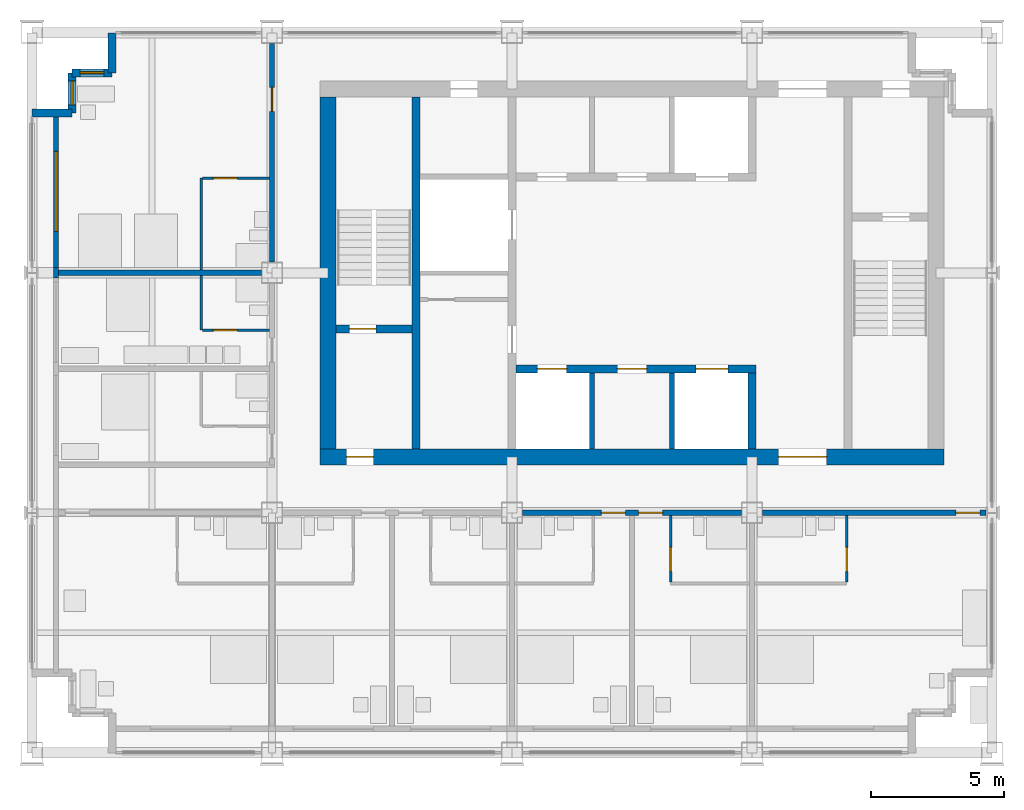
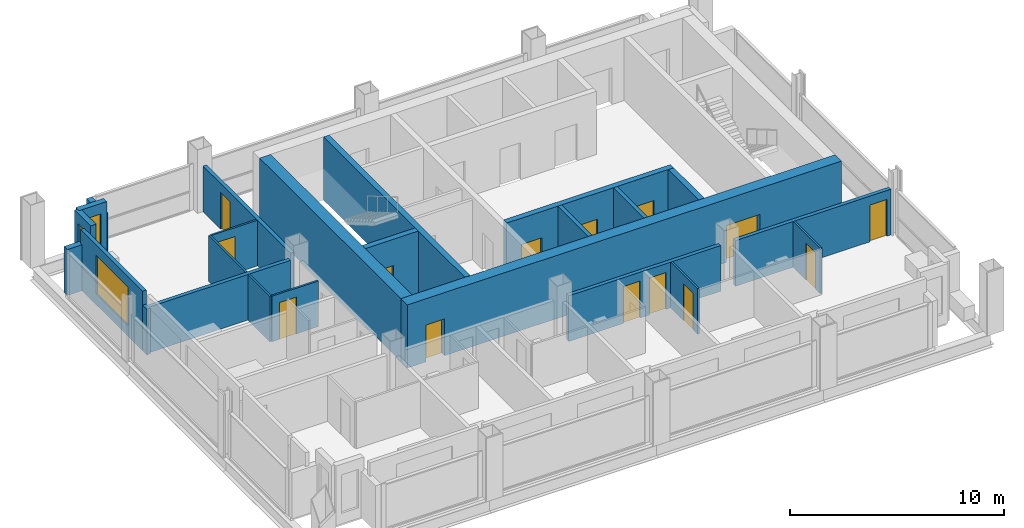
# One storey, part 7 of 12: 24 walls, 14 doors, 3 windows, 17 openings.
"""IFC4 building model written with IfcOpenShell, lengths in metres."""

from ifc_helpers import new_model, si_unit, direction, frame, frame_2d, origin, place, context, subcontext, project, spatial, rectangle, extrude, material, layer, layer_set, type_object, element, fill, save


model = new_model("IFC4")

# Units and contexts
model_context = context("Model", 3, precision=1e-05, world=origin(), true_north=direction((0.0, 1.0)))
body_context = subcontext(model_context, "Body", "Model", "MODEL_VIEW")
ifc_project = project(units=[si_unit("LENGTHUNIT", "METRE"), si_unit("AREAUNIT", "SQUARE_METRE"), si_unit("VOLUMEUNIT", "CUBIC_METRE"), si_unit("PLANEANGLEUNIT", "RADIAN"), si_unit("MASSUNIT", "GRAM", prefix="KILO")], contexts=[model_context])

# Site, building, storey
site_placement = place(None, origin())
site = spatial("IfcSite", under=ifc_project, at=site_placement, CompositionType="ELEMENT")
building_placement = place(site_placement, origin())
building = spatial("IfcBuilding", under=site, at=building_placement, Name="Loomwork Tower", CompositionType="ELEMENT")
storey_placement = place(building_placement, frame((0.0, 0.0, 259.0)))
storey = spatial("IfcBuildingStorey", under=building, at=storey_placement, Name="L71", CompositionType="ELEMENT", Elevation=259.0)

# Wall
ifc_material_1 = material(Name="Concrete 14000 psi (97 MPa)", Category="concrete")
ifc_layer_1 = layer(ifc_material_1, 0.300048828125)
ifc_layer_set_1 = layer_set([ifc_layer_1], Name="Core shear wall 300")
wall_type_1 = type_object("IfcWallType", Name="Core shear wall 300", PredefinedType="SHEAR", material=ifc_layer_set_1)
wall_1_placement = place(storey_placement, frame((14.39990234375, 11.39990234375, 0.0), z_axis=(0.0, 0.0, 1.0), x_axis=(0.0, 1.0, 0.0)))
element("IfcWall", 1, at=wall_1_placement, inside=storey, type_object=wall_type_1, Name="Stair A east wall L71", PredefinedType="SHEAR", context=body_context, shape_type="SweptSolid", body=[
    extrude(rectangle(XDim=13.2001953125, YDim=0.300048828125, at=frame_2d((6.60009765625, 0.0))), origin(), (0.0, 0.0, 1.0), 3.60009765625),
])

# Wall, opening, door
wall_2_placement = place(storey_placement, frame((11.39990234375, 15.89990234375, 0.0), z_axis=(0.0, 0.0, 1.0), x_axis=(1.0, 0.0, 0.0)))
wall_2 = element("IfcWall", 2, at=wall_2_placement, inside=storey, type_object=wall_type_1, Name="Stair A south wall L71", PredefinedType="SHEAR", context=body_context, shape_type="SweptSolid", body=[
    extrude(rectangle(XDim=2.85009765625, YDim=0.300048828125, at=frame_2d((1.425048828125, 0.0))), origin(), (0.0, 0.0, 1.0), 3.60009765625),
])
opening_1_placement = place(wall_2_placement, frame((0.5, 0.0, 0.0)))
opening_1 = element("IfcOpeningElement", 3, at=opening_1_placement, cuts=wall_2, Name="Opening D4", PredefinedType="OPENING", context=body_context, shape_type="SweptSolid", body=[
    extrude(rectangle(XDim=1.0, YDim=2.10009765625, at=frame_2d((0.5, 1.050048828125))), frame((0.0, 0.159912109375, 0.0), z_axis=(0.0, -1.0, 0.0), x_axis=(1.0, 0.0, 0.0)), (0.0, 0.0, 1.0), 0.320068359375),
])
ifc_material_2 = material(Name="Hollow metal door and frame")
door_type_1 = type_object("IfcDoorType", Name="Stair door 1000", OperationType="SINGLE_SWING_RIGHT", PredefinedType="DOOR", material=ifc_material_2)
door_1_placement = place(opening_1_placement, origin())
door_1 = element("IfcDoor", 4, at=door_1_placement, inside=storey, type_object=door_type_1, Name="Stair A door", OperationType="SINGLE_SWING_LEFT", OverallHeight=2.10009765625, OverallWidth=1.0, PredefinedType="DOOR", context=body_context, shape_type="SweptSolid", body=[
    extrude(rectangle(XDim=1.0, YDim=2.10009765625, at=frame_2d((0.5, 1.050048828125))), frame((0.0, 0.02490234375, 0.0), z_axis=(0.0, -1.0, 0.0), x_axis=(1.0, 0.0, 0.0)), (0.0, 0.0, 1.0), 0.050048828125),
])
fill(opening_1, door_1)

# Wall, openings, doors
wall_3_placement = place(storey_placement, frame((18.14990234375, 14.39990234375, 0.0), z_axis=(0.0, 0.0, 1.0), x_axis=(1.0, 0.0, 0.0)))
wall_3 = element("IfcWall", 5, at=wall_3_placement, inside=storey, type_object=wall_type_1, Name="Lift front wall south L71", PredefinedType="SHEAR", context=body_context, shape_type="SweptSolid", body=[
    extrude(rectangle(XDim=9.0, YDim=0.300048828125, at=frame_2d((4.5, 0.0))), origin(), (0.0, 0.0, 1.0), 3.60009765625),
])
opening_2_placement = place(wall_3_placement, frame((0.800048828125, 0.0, 0.0)))
opening_2 = element("IfcOpeningElement", 6, at=opening_2_placement, cuts=wall_3, Name="Opening LD1", PredefinedType="OPENING", context=body_context, shape_type="SweptSolid", body=[
    extrude(rectangle(XDim=1.10009765625, YDim=2.10009765625, at=frame_2d((0.550048828125, 1.050048828125))), frame((0.0, 0.159912109375, 0.0), z_axis=(0.0, -1.0, 0.0), x_axis=(1.0, 0.0, 0.0)), (0.0, 0.0, 1.0), 0.320068359375),
])
opening_3_placement = place(wall_3_placement, frame((6.75, 0.0, 0.0)))
opening_3 = element("IfcOpeningElement", 7, at=opening_3_placement, cuts=wall_3, Name="Opening LD2", PredefinedType="OPENING", context=body_context, shape_type="SweptSolid", body=[
    extrude(rectangle(XDim=1.199951171875, YDim=2.10009765625, at=frame_2d((0.60009765625, 1.050048828125))), frame((0.0, 0.159912109375, 0.0), z_axis=(0.0, -1.0, 0.0), x_axis=(1.0, 0.0, 0.0)), (0.0, 0.0, 1.0), 0.320068359375),
])
opening_4_placement = place(wall_3_placement, frame((3.800048828125, 0.0, 0.0)))
opening_4 = element("IfcOpeningElement", 8, at=opening_4_placement, cuts=wall_3, Name="Opening D17", PredefinedType="OPENING", context=body_context, shape_type="SweptSolid", body=[
    extrude(rectangle(XDim=1.10009765625, YDim=2.10009765625, at=frame_2d((0.550048828125, 1.050048828125))), frame((0.0, 0.159912109375, 0.0), z_axis=(0.0, -1.0, 0.0), x_axis=(1.0, 0.0, 0.0)), (0.0, 0.0, 1.0), 0.320068359375),
])
ifc_material_3 = material(Name="Hollow metal door and frame")
door_type_2 = type_object("IfcDoorType", Name="Lift landing door 1100", OperationType="SLIDING_TO_LEFT", PredefinedType="DOOR", material=ifc_material_3)
door_2_placement = place(opening_2_placement, origin())
door_2 = element("IfcDoor", 9, at=door_2_placement, inside=storey, type_object=door_type_2, Name="Lift landing door LC1", OperationType="SLIDING_TO_LEFT", OverallHeight=2.10009765625, OverallWidth=1.10009765625, PredefinedType="DOOR", context=body_context, shape_type="SweptSolid", body=[
    extrude(rectangle(XDim=1.10009765625, YDim=2.10009765625, at=frame_2d((0.550048828125, 1.050048828125))), frame((0.0, 0.02490234375, 0.0), z_axis=(0.0, -1.0, 0.0), x_axis=(1.0, 0.0, 0.0)), (0.0, 0.0, 1.0), 0.050048828125),
])
fill(opening_2, door_2)
ifc_material_4 = material(Name="Hollow metal door and frame")
door_type_3 = type_object("IfcDoorType", Name="Lift landing door 1200", OperationType="SLIDING_TO_LEFT", PredefinedType="DOOR", material=ifc_material_4)
door_3_placement = place(opening_3_placement, origin())
door_3 = element("IfcDoor", 10, at=door_3_placement, inside=storey, type_object=door_type_3, Name="Lift landing door LF1", OperationType="SLIDING_TO_LEFT", OverallHeight=2.10009765625, OverallWidth=1.199951171875, PredefinedType="DOOR", context=body_context, shape_type="SweptSolid", body=[
    extrude(rectangle(XDim=1.199951171875, YDim=2.10009765625, at=frame_2d((0.60009765625, 1.050048828125))), frame((0.0, 0.02490234375, 0.0), z_axis=(0.0, -1.0, 0.0), x_axis=(1.0, 0.0, 0.0)), (0.0, 0.0, 1.0), 0.050048828125),
])
fill(opening_3, door_3)
ifc_material_5 = material(Name="Hollow metal door and frame")
door_type_4 = type_object("IfcDoorType", Name="Service room door 1100", OperationType="SINGLE_SWING_LEFT", PredefinedType="DOOR", material=ifc_material_5)
door_4_placement = place(opening_4_placement, frame((1.10009765625, 0.0, 0.0), z_axis=(0.0, 0.0, 1.0), x_axis=(-1.0, 0.0, 0.0)))
door_4 = element("IfcDoor", 11, at=door_4_placement, inside=storey, type_object=door_type_4, Name="IT and communications room door L71", OperationType="SINGLE_SWING_RIGHT", OverallHeight=2.10009765625, OverallWidth=1.10009765625, PredefinedType="DOOR", context=body_context, shape_type="SweptSolid", body=[
    extrude(rectangle(XDim=1.10009765625, YDim=2.10009765625, at=frame_2d((0.550048828125, 1.050048828125))), frame((0.0, 0.02490234375, 0.0), z_axis=(0.0, -1.0, 0.0), x_axis=(1.0, 0.0, 0.0)), (0.0, 0.0, 1.0), 0.050048828125),
])
fill(opening_4, door_4)

# Wall
wall_4_placement = place(storey_placement, frame((27.0, 11.39990234375, 0.0), z_axis=(0.0, 0.0, 1.0), x_axis=(0.0, 1.0, 0.0)))
element("IfcWall", 12, at=wall_4_placement, inside=storey, type_object=wall_type_1, Name="Lift shaft end wall south L71", PredefinedType="SHEAR", context=body_context, shape_type="SweptSolid", body=[
    extrude(rectangle(XDim=2.85009765625, YDim=0.300048828125, at=frame_2d((1.425048828125, 0.0))), origin(), (0.0, 0.0, 1.0), 3.60009765625),
])

# Wall, openings, doors
ifc_material_6 = material(Name="Concrete 14000 psi (97 MPa)", Category="concrete")
ifc_layer_2 = layer(ifc_material_6, 0.60009765625)
ifc_layer_set_2 = layer_set([ifc_layer_2], Name="Core shear wall 600")
wall_type_2 = type_object("IfcWallType", Name="Core shear wall 600", PredefinedType="SHEAR", material=ifc_layer_set_2)
wall_5_placement = place(storey_placement, frame((10.800048828125, 11.10009765625, 0.0), z_axis=(0.0, 0.0, 1.0), x_axis=(1.0, 0.0, 0.0)))
wall_5 = element("IfcWall", 13, at=wall_5_placement, inside=storey, type_object=wall_type_2, Name="Core wall south L71", PredefinedType="SHEAR", context=body_context, shape_type="SweptSolid", body=[
    extrude(rectangle(XDim=23.39990234375, YDim=0.60009765625, at=frame_2d((11.699951171875, 0.0))), origin(), (0.0, 0.0, 1.0), 3.60009765625),
])
opening_5_placement = place(wall_5_placement, frame((1.0, 0.0, 0.0)))
opening_5 = element("IfcOpeningElement", 14, at=opening_5_placement, cuts=wall_5, Name="Opening D4", PredefinedType="OPENING", context=body_context, shape_type="SweptSolid", body=[
    extrude(rectangle(XDim=1.0, YDim=2.10009765625, at=frame_2d((0.5, 1.050048828125))), frame((0.0, 0.31005859375, 0.0), z_axis=(0.0, -1.0, 0.0), x_axis=(1.0, 0.0, 0.0)), (0.0, 0.0, 1.0), 0.6201171875),
])
opening_6_placement = place(wall_5_placement, frame((17.199951171875, 0.0, 0.0)))
opening_6 = element("IfcOpeningElement", 15, at=opening_6_placement, cuts=wall_5, Name="Opening D6", PredefinedType="OPENING", context=body_context, shape_type="SweptSolid", body=[
    extrude(rectangle(XDim=1.800048828125, YDim=2.10009765625, at=frame_2d((0.89990234375, 1.050048828125))), frame((0.0, 0.31005859375, 0.0), z_axis=(0.0, -1.0, 0.0), x_axis=(1.0, 0.0, 0.0)), (0.0, 0.0, 1.0), 0.6201171875),
])
ifc_material_7 = material(Name="Hollow metal door and frame")
door_type_5 = type_object("IfcDoorType", Name="Lobby passage double door 1800", OperationType="DOUBLE_DOOR_SINGLE_SWING", PredefinedType="DOOR", material=ifc_material_7)
door_5_placement = place(opening_6_placement, origin())
door_5 = element("IfcDoor", 16, at=door_5_placement, inside=storey, type_object=door_type_5, Name="Lobby passage door south", OperationType="DOUBLE_DOOR_SINGLE_SWING", OverallHeight=2.10009765625, OverallWidth=1.800048828125, PredefinedType="DOOR", context=body_context, shape_type="SweptSolid", body=[
    extrude(rectangle(XDim=1.800048828125, YDim=2.10009765625, at=frame_2d((0.89990234375, 1.050048828125))), frame((0.0, 0.02490234375, 0.0), z_axis=(0.0, -1.0, 0.0), x_axis=(1.0, 0.0, 0.0)), (0.0, 0.0, 1.0), 0.050048828125),
])
fill(opening_6, door_5)
door_6_placement = place(opening_5_placement, origin())
door_6 = element("IfcDoor", 17, at=door_6_placement, inside=storey, type_object=door_type_1, Name="Stair A vestibule door", OperationType="SINGLE_SWING_LEFT", OverallHeight=2.10009765625, OverallWidth=1.0, PredefinedType="DOOR", context=body_context, shape_type="SweptSolid", body=[
    extrude(rectangle(XDim=1.0, YDim=2.10009765625, at=frame_2d((0.5, 1.050048828125))), frame((0.0, 0.02490234375, 0.0), z_axis=(0.0, -1.0, 0.0), x_axis=(1.0, 0.0, 0.0)), (0.0, 0.0, 1.0), 0.050048828125),
])
fill(opening_5, door_6)

# Wall
wall_6_placement = place(storey_placement, frame((11.10009765625, 11.39990234375, 0.0), z_axis=(0.0, 0.0, 1.0), x_axis=(0.0, 1.0, 0.0)))
element("IfcWall", 18, at=wall_6_placement, inside=storey, type_object=wall_type_2, Name="Core wall west L71", PredefinedType="SHEAR", context=body_context, shape_type="SweptSolid", body=[
    extrude(rectangle(XDim=13.2001953125, YDim=0.60009765625, at=frame_2d((6.60009765625, 0.0))), origin(), (0.0, 0.0, 1.0), 3.60009765625),
])

# Wall, openings, doors
ifc_material_8 = material(Name="Gypsum board on steel studs, one-hour", Category="steel")
ifc_layer_3 = layer(ifc_material_8, 0.199951171875)
ifc_layer_set_3 = layer_set([ifc_layer_3], Name="Corridor wall 200")
wall_type_3 = type_object("IfcWallType", Name="Corridor wall 200", PredefinedType="PARTITIONING", material=ifc_layer_set_3)
wall_7_placement = place(storey_placement, frame((18.39990234375, 9.0, 0.0), z_axis=(0.0, 0.0, 1.0), x_axis=(1.0, 0.0, 0.0)))
wall_7 = element("IfcWall", 19, at=wall_7_placement, inside=storey, type_object=wall_type_3, Name="South corridor wall 3", PredefinedType="PARTITIONING", context=body_context, shape_type="SweptSolid", body=[
    extrude(rectangle(XDim=8.2001953125, YDim=0.199951171875, at=frame_2d((4.10009765625, 0.0))), origin(), (0.0, 0.0, 1.0), 2.60498046875),
])
opening_7_placement = place(wall_7_placement, frame((2.949951171875, 0.0, 0.0)))
opening_7 = element("IfcOpeningElement", 20, at=opening_7_placement, cuts=wall_7, Name="Opening D1", PredefinedType="OPENING", context=body_context, shape_type="SweptSolid", body=[
    extrude(rectangle(XDim=0.89990234375, YDim=2.10009765625, at=frame_2d((0.449951171875, 1.050048828125))), frame((0.0, 0.10986328125, 0.0), z_axis=(0.0, -1.0, 0.0), x_axis=(1.0, 0.0, 0.0)), (0.0, 0.0, 1.0), 0.219970703125),
])
opening_8_placement = place(wall_7_placement, frame((4.35009765625, 0.0, 0.0)))
opening_8 = element("IfcOpeningElement", 21, at=opening_8_placement, cuts=wall_7, Name="Opening D1", PredefinedType="OPENING", context=body_context, shape_type="SweptSolid", body=[
    extrude(rectangle(XDim=0.89990234375, YDim=2.10009765625, at=frame_2d((0.449951171875, 1.050048828125))), frame((0.0, 0.10986328125, 0.0), z_axis=(0.0, -1.0, 0.0), x_axis=(1.0, 0.0, 0.0)), (0.0, 0.0, 1.0), 0.219970703125),
])
ifc_material_9 = material(Name="Hollow metal door and frame")
door_type_6 = type_object("IfcDoorType", Name="Guest room entry door 900", OperationType="SINGLE_SWING_LEFT", PredefinedType="DOOR", material=ifc_material_9)
door_7_placement = place(opening_7_placement, frame((0.89990234375, 0.0, 0.0), z_axis=(0.0, 0.0, 1.0), x_axis=(-1.0, 0.0, 0.0)))
door_7 = element("IfcDoor", 22, at=door_7_placement, inside=storey, type_object=door_type_6, Name="Guest room entry door L71 4", OperationType="SINGLE_SWING_LEFT", OverallHeight=2.10009765625, OverallWidth=0.89990234375, PredefinedType="DOOR", context=body_context, shape_type="SweptSolid", body=[
    extrude(rectangle(XDim=0.89990234375, YDim=2.10009765625, at=frame_2d((0.449951171875, 1.050048828125))), frame((0.0, 0.02490234375, 0.0), z_axis=(0.0, -1.0, 0.0), x_axis=(1.0, 0.0, 0.0)), (0.0, 0.0, 1.0), 0.050048828125),
])
fill(opening_7, door_7)
door_8_placement = place(opening_8_placement, frame((0.89990234375, 0.0, 0.0), z_axis=(0.0, 0.0, 1.0), x_axis=(-1.0, 0.0, 0.0)))
door_8 = element("IfcDoor", 23, at=door_8_placement, inside=storey, type_object=door_type_6, Name="Guest room entry door L71 5", OperationType="SINGLE_SWING_RIGHT", OverallHeight=2.10009765625, OverallWidth=0.89990234375, PredefinedType="DOOR", context=body_context, shape_type="SweptSolid", body=[
    extrude(rectangle(XDim=0.89990234375, YDim=2.10009765625, at=frame_2d((0.449951171875, 1.050048828125))), frame((0.0, 0.02490234375, 0.0), z_axis=(0.0, -1.0, 0.0), x_axis=(1.0, 0.0, 0.0)), (0.0, 0.0, 1.0), 0.050048828125),
])
fill(opening_8, door_8)

# Wall, opening, door
wall_8_placement = place(storey_placement, frame((27.39990234375, 9.0, 0.0), z_axis=(0.0, 0.0, 1.0), x_axis=(1.0, 0.0, 0.0)))
wall_8 = element("IfcWall", 24, at=wall_8_placement, inside=storey, type_object=wall_type_3, Name="South corridor wall 4", PredefinedType="PARTITIONING", context=body_context, shape_type="SweptSolid", body=[
    extrude(rectangle(XDim=8.377685546875, YDim=0.199951171875, at=frame_2d((4.18896484375, 0.0))), origin(), (0.0, 0.0, 1.0), 2.60498046875),
])
opening_9_placement = place(wall_8_placement, frame((7.25, 0.0, 0.0)))
opening_9 = element("IfcOpeningElement", 25, at=opening_9_placement, cuts=wall_8, Name="Opening D1", PredefinedType="OPENING", context=body_context, shape_type="SweptSolid", body=[
    extrude(rectangle(XDim=0.89990234375, YDim=2.10009765625, at=frame_2d((0.449951171875, 1.050048828125))), frame((0.0, 0.10986328125, 0.0), z_axis=(0.0, -1.0, 0.0), x_axis=(1.0, 0.0, 0.0)), (0.0, 0.0, 1.0), 0.219970703125),
])
door_9_placement = place(opening_9_placement, frame((0.89990234375, 0.0, 0.0), z_axis=(0.0, 0.0, 1.0), x_axis=(-1.0, 0.0, 0.0)))
door_9 = element("IfcDoor", 26, at=door_9_placement, inside=storey, type_object=door_type_6, Name="Guest room entry door L71 6", OperationType="SINGLE_SWING_RIGHT", OverallHeight=2.10009765625, OverallWidth=0.89990234375, PredefinedType="DOOR", context=body_context, shape_type="SweptSolid", body=[
    extrude(rectangle(XDim=0.89990234375, YDim=2.10009765625, at=frame_2d((0.449951171875, 1.050048828125))), frame((0.0, 0.02490234375, 0.0), z_axis=(0.0, -1.0, 0.0), x_axis=(1.0, 0.0, 0.0)), (0.0, 0.0, 1.0), 0.050048828125),
])
fill(opening_9, door_9)

wall_9_placement = place(storey_placement, frame((9.0, 18.39990234375, 0.0), z_axis=(0.0, 0.0, 1.0), x_axis=(0.0, 1.0, 0.0)))
wall_9 = element("IfcWall", 27, at=wall_9_placement, inside=storey, type_object=wall_type_3, Name="West corridor wall 2", PredefinedType="PARTITIONING", context=body_context, shape_type="SweptSolid", body=[
    extrude(rectangle(XDim=8.2001953125, YDim=0.199951171875, at=frame_2d((4.10009765625, 0.0))), origin(), (0.0, 0.0, 1.0), 2.60498046875),
])
opening_10_placement = place(wall_9_placement, frame((5.64990234375, 0.0, 0.0)))
opening_10 = element("IfcOpeningElement", 28, at=opening_10_placement, cuts=wall_9, Name="Opening D1", PredefinedType="OPENING", context=body_context, shape_type="SweptSolid", body=[
    extrude(rectangle(XDim=0.89990234375, YDim=2.10009765625, at=frame_2d((0.449951171875, 1.050048828125))), frame((0.0, 0.10986328125, 0.0), z_axis=(0.0, -1.0, 0.0), x_axis=(1.0, 0.0, 0.0)), (0.0, 0.0, 1.0), 0.219970703125),
])
door_10_placement = place(opening_10_placement, origin())
door_10 = element("IfcDoor", 29, at=door_10_placement, inside=storey, type_object=door_type_6, Name="Guest room entry door L71 9", OperationType="SINGLE_SWING_RIGHT", OverallHeight=2.10009765625, OverallWidth=0.89990234375, PredefinedType="DOOR", context=body_context, shape_type="SweptSolid", body=[
    extrude(rectangle(XDim=0.89990234375, YDim=2.10009765625, at=frame_2d((0.449951171875, 1.050048828125))), frame((0.0, 0.02490234375, 0.0), z_axis=(0.0, -1.0, 0.0), x_axis=(1.0, 0.0, 0.0)), (0.0, 0.0, 1.0), 0.050048828125),
])
fill(opening_10, door_10)

ifc_material_10 = material(Name="Cement board on steel studs", Category="steel")
ifc_layer_4 = layer(ifc_material_10, 0.10009765625)
ifc_layer_set_4 = layer_set([ifc_layer_4], Name="En-suite partition 100")
wall_type_4 = type_object("IfcWallType", Name="En-suite partition 100", PredefinedType="PARTITIONING", material=ifc_layer_set_4)
wall_10_placement = place(storey_placement, frame((23.949951171875, 8.89990234375, 0.0), z_axis=(0.0, 0.0, 1.0), x_axis=(0.0, -1.0, 0.0)))
wall_10 = element("IfcWall", 30, at=wall_10_placement, inside=storey, type_object=wall_type_4, Name="En-suite side wall L71 room 5", PredefinedType="PARTITIONING", context=body_context, shape_type="SweptSolid", body=[
    extrude(rectangle(XDim=2.5, YDim=0.10009765625, at=frame_2d((1.25, 0.0))), origin(), (0.0, 0.0, 1.0), 2.60400390625),
])
opening_11_placement = place(wall_10_placement, frame((1.199951171875, 0.0, 0.0)))
opening_11 = element("IfcOpeningElement", 31, at=opening_11_placement, cuts=wall_10, Name="Opening D3", PredefinedType="OPENING", context=body_context, shape_type="SweptSolid", body=[
    extrude(rectangle(XDim=0.89990234375, YDim=2.10009765625, at=frame_2d((0.449951171875, 1.050048828125))), frame((0.0, 0.06005859375, 0.0), z_axis=(0.0, -1.0, 0.0), x_axis=(1.0, 0.0, 0.0)), (0.0, 0.0, 1.0), 0.1201171875),
])
ifc_material_11 = material(Name="Hollow metal door and frame")
door_type_7 = type_object("IfcDoorType", Name="Accessible en-suite door 900", OperationType="SLIDING_TO_LEFT", PredefinedType="DOOR", material=ifc_material_11)
door_11_placement = place(opening_11_placement, origin())
door_11 = element("IfcDoor", 32, at=door_11_placement, inside=storey, type_object=door_type_7, Name="Accessible en-suite door room 5", OperationType="SLIDING_TO_LEFT", OverallHeight=2.10009765625, OverallWidth=0.89990234375, PredefinedType="DOOR", context=body_context, shape_type="SweptSolid", body=[
    extrude(rectangle(XDim=0.89990234375, YDim=2.10009765625, at=frame_2d((0.449951171875, 1.050048828125))), frame((0.0, 0.02490234375, 0.0), z_axis=(0.0, -1.0, 0.0), x_axis=(1.0, 0.0, 0.0)), (0.0, 0.0, 1.0), 0.050048828125),
])
fill(opening_11, door_11)

wall_11_placement = place(storey_placement, frame((30.550048828125, 8.89990234375, 0.0), z_axis=(0.0, 0.0, 1.0), x_axis=(0.0, -1.0, 0.0)))
wall_11 = element("IfcWall", 33, at=wall_11_placement, inside=storey, type_object=wall_type_4, Name="En-suite side wall L71 room 6", PredefinedType="PARTITIONING", context=body_context, shape_type="SweptSolid", body=[
    extrude(rectangle(XDim=2.5, YDim=0.10009765625, at=frame_2d((1.25, 0.0))), origin(), (0.0, 0.0, 1.0), 2.60400390625),
])
opening_12_placement = place(wall_11_placement, frame((1.199951171875, 0.0, 0.0)))
opening_12 = element("IfcOpeningElement", 34, at=opening_12_placement, cuts=wall_11, Name="Opening D2", PredefinedType="OPENING", context=body_context, shape_type="SweptSolid", body=[
    extrude(rectangle(XDim=0.89990234375, YDim=2.10009765625, at=frame_2d((0.449951171875, 1.050048828125))), frame((0.0, 0.06005859375, 0.0), z_axis=(0.0, -1.0, 0.0), x_axis=(1.0, 0.0, 0.0)), (0.0, 0.0, 1.0), 0.1201171875),
])
ifc_material_12 = material(Name="Hollow metal door and frame")
door_type_8 = type_object("IfcDoorType", Name="En-suite door 900", OperationType="SINGLE_SWING_LEFT", PredefinedType="DOOR", material=ifc_material_12)
door_12_placement = place(opening_12_placement, frame((0.89990234375, 0.0, 0.0), z_axis=(0.0, 0.0, 1.0), x_axis=(-1.0, 0.0, 0.0)))
door_12 = element("IfcDoor", 35, at=door_12_placement, inside=storey, type_object=door_type_8, Name="En-suite door room 6", OperationType="SINGLE_SWING_LEFT", OverallHeight=2.10009765625, OverallWidth=0.89990234375, PredefinedType="DOOR", context=body_context, shape_type="SweptSolid", body=[
    extrude(rectangle(XDim=0.89990234375, YDim=2.10009765625, at=frame_2d((0.449951171875, 1.050048828125))), frame((0.0, 0.02490234375, 0.0), z_axis=(0.0, -1.0, 0.0), x_axis=(1.0, 0.0, 0.0)), (0.0, 0.0, 1.0), 0.050048828125),
])
fill(opening_12, door_12)

# Wall
wall_12_placement = place(storey_placement, frame((6.35009765625, 15.85009765625, 0.0), z_axis=(0.0, 0.0, 1.0), x_axis=(0.0, 1.0, 0.0)))
element("IfcWall", 36, at=wall_12_placement, inside=storey, type_object=wall_type_4, Name="En-suite wall L71 room 8", PredefinedType="PARTITIONING", context=body_context, shape_type="SweptSolid", body=[
    extrude(rectangle(XDim=2.0498046875, YDim=0.10009765625, at=frame_2d((1.02490234375, 0.0))), origin(), (0.0, 0.0, 1.0), 2.60400390625),
])

# Wall, opening, door
wall_13_placement = place(storey_placement, frame((8.89990234375, 15.85009765625, 0.0), z_axis=(0.0, 0.0, 1.0), x_axis=(-1.0, 0.0, 0.0)))
wall_13 = element("IfcWall", 37, at=wall_13_placement, inside=storey, type_object=wall_type_4, Name="En-suite side wall L71 room 8", PredefinedType="PARTITIONING", context=body_context, shape_type="SweptSolid", body=[
    extrude(rectangle(XDim=2.5, YDim=0.10009765625, at=frame_2d((1.25, 0.0))), origin(), (0.0, 0.0, 1.0), 2.60400390625),
])
opening_13_placement = place(wall_13_placement, frame((1.199951171875, 0.0, 0.0)))
opening_13 = element("IfcOpeningElement", 38, at=opening_13_placement, cuts=wall_13, Name="Opening D2", PredefinedType="OPENING", context=body_context, shape_type="SweptSolid", body=[
    extrude(rectangle(XDim=0.89990234375, YDim=2.10009765625, at=frame_2d((0.449951171875, 1.050048828125))), frame((0.0, 0.06005859375, 0.0), z_axis=(0.0, -1.0, 0.0), x_axis=(1.0, 0.0, 0.0)), (0.0, 0.0, 1.0), 0.1201171875),
])
door_13_placement = place(opening_13_placement, frame((0.89990234375, 0.0, 0.0), z_axis=(0.0, 0.0, 1.0), x_axis=(-1.0, 0.0, 0.0)))
door_13 = element("IfcDoor", 39, at=door_13_placement, inside=storey, type_object=door_type_8, Name="En-suite door room 8", OperationType="SINGLE_SWING_LEFT", OverallHeight=2.10009765625, OverallWidth=0.89990234375, PredefinedType="DOOR", context=body_context, shape_type="SweptSolid", body=[
    extrude(rectangle(XDim=0.89990234375, YDim=2.10009765625, at=frame_2d((0.449951171875, 1.050048828125))), frame((0.0, 0.02490234375, 0.0), z_axis=(0.0, -1.0, 0.0), x_axis=(1.0, 0.0, 0.0)), (0.0, 0.0, 1.0), 0.050048828125),
])
fill(opening_13, door_13)

# Wall
wall_14_placement = place(storey_placement, frame((6.35009765625, 18.10009765625, 0.0), z_axis=(0.0, 0.0, 1.0), x_axis=(0.0, 1.0, 0.0)))
element("IfcWall", 40, at=wall_14_placement, inside=storey, type_object=wall_type_4, Name="En-suite wall L71 room 9", PredefinedType="PARTITIONING", context=body_context, shape_type="SweptSolid", body=[
    extrude(rectangle(XDim=3.449951171875, YDim=0.10009765625, at=frame_2d((1.72509765625, 0.0))), origin(), (0.0, 0.0, 1.0), 2.60400390625),
])

# Wall, opening, door
wall_15_placement = place(storey_placement, frame((8.89990234375, 21.550048828125, 0.0), z_axis=(0.0, 0.0, 1.0), x_axis=(-1.0, 0.0, 0.0)))
wall_15 = element("IfcWall", 41, at=wall_15_placement, inside=storey, type_object=wall_type_4, Name="En-suite side wall L71 room 9", PredefinedType="PARTITIONING", context=body_context, shape_type="SweptSolid", body=[
    extrude(rectangle(XDim=2.5, YDim=0.10009765625, at=frame_2d((1.25, 0.0))), origin(), (0.0, 0.0, 1.0), 2.60400390625),
])
opening_14_placement = place(wall_15_placement, frame((1.199951171875, 0.0, 0.0)))
opening_14 = element("IfcOpeningElement", 42, at=opening_14_placement, cuts=wall_15, Name="Opening D2", PredefinedType="OPENING", context=body_context, shape_type="SweptSolid", body=[
    extrude(rectangle(XDim=0.89990234375, YDim=2.10009765625, at=frame_2d((0.449951171875, 1.050048828125))), frame((0.0, 0.06005859375, 0.0), z_axis=(0.0, -1.0, 0.0), x_axis=(1.0, 0.0, 0.0)), (0.0, 0.0, 1.0), 0.1201171875),
])
door_14_placement = place(opening_14_placement, origin())
door_14 = element("IfcDoor", 43, at=door_14_placement, inside=storey, type_object=door_type_8, Name="En-suite door room 9", OperationType="SINGLE_SWING_RIGHT", OverallHeight=2.10009765625, OverallWidth=0.89990234375, PredefinedType="DOOR", context=body_context, shape_type="SweptSolid", body=[
    extrude(rectangle(XDim=0.89990234375, YDim=2.10009765625, at=frame_2d((0.449951171875, 1.050048828125))), frame((0.0, 0.02490234375, 0.0), z_axis=(0.0, -1.0, 0.0), x_axis=(1.0, 0.0, 0.0)), (0.0, 0.0, 1.0), 0.050048828125),
])
fill(opening_14, door_14)

# Walls
ifc_material_13 = material(Name="Gypsum board on steel studs, acoustic", Category="steel")
ifc_layer_5 = layer(ifc_material_13, 0.199951171875)
ifc_layer_set_5 = layer_set([ifc_layer_5], Name="Guest room party wall 200")
wall_type_5 = type_object("IfcWallType", Name="Guest room party wall 200", PredefinedType="PARTITIONING", material=ifc_layer_set_5)
wall_16_placement = place(storey_placement, frame((8.60009765625, 18.0, 0.0), z_axis=(0.0, 0.0, 1.0), x_axis=(-1.0, 0.0, 0.0)))
element("IfcWall", 44, at=wall_16_placement, inside=storey, type_object=wall_type_5, Name="Guest room party wall W 18", PredefinedType="PARTITIONING", context=body_context, shape_type="SweptSolid", body=[
    extrude(rectangle(XDim=7.60009765625, YDim=0.199951171875, at=frame_2d((3.800048828125, 0.0))), origin(), (0.0, 0.0, 1.0), 2.60498046875),
])
ifc_material_14 = material(Name="Insulated steel stud wall with gypsum lining", Category="steel")
ifc_layer_6 = layer(ifc_material_14, 0.199951171875)
ifc_layer_set_6 = layer_set([ifc_layer_6], Name="Inner skin wall 200")
wall_type_6 = type_object("IfcWallType", Name="Inner skin wall 200", PredefinedType="SOLIDWALL", material=ifc_layer_set_6)
wall_17_placement = place(storey_placement, frame((0.89990234375, 17.80615234375, 0.0), z_axis=(0.0, 0.0, 1.0), x_axis=(0.0, 1.0, 0.0)))
element("IfcWall", 45, at=wall_17_placement, inside=storey, type_object=wall_type_6, Name="Inner skin wall W bay 6", PredefinedType="SOLIDWALL", context=body_context, shape_type="SweptSolid", body=[
    extrude(rectangle(XDim=0.3876953125, YDim=0.199951171875, at=frame_2d((0.19384765625, 0.0))), origin(), (0.0, 0.0, 1.0), 2.60400390625),
])

# Wall, opening, window
wall_18_placement = place(storey_placement, frame((0.89990234375, 18.19384765625, 0.0), z_axis=(0.0, 0.0, 1.0), x_axis=(0.0, 1.0, 0.0)))
wall_18 = element("IfcWall", 46, at=wall_18_placement, inside=storey, type_object=wall_type_6, Name="Inner skin wall W bay 7", PredefinedType="SOLIDWALL", context=body_context, shape_type="SweptSolid", body=[
    extrude(rectangle(XDim=5.80615234375, YDim=0.199951171875, at=frame_2d((2.903076171875, 0.0))), origin(), (0.0, 0.0, 1.0), 3.39990234375),
])
opening_15_placement = place(wall_18_placement, frame((1.356201171875, 0.0, 0.60009765625)))
opening_15 = element("IfcOpeningElement", 47, at=opening_15_placement, cuts=wall_18, Name="Opening CH1", PredefinedType="OPENING", context=body_context, shape_type="SweptSolid", body=[
    extrude(rectangle(XDim=3.0, YDim=2.199951171875, at=frame_2d((1.5, 1.10009765625))), frame((0.0, 0.10986328125, 0.0), z_axis=(0.0, -1.0, 0.0), x_axis=(1.0, 0.0, 0.0)), (0.0, 0.0, 1.0), 0.219970703125),
])
ifc_material_15 = material(Name="Aluminium frame with clear insulated glass", Category="aluminium")
window_type_1 = type_object("IfcWindowType", Name="Chicago window 3000", PartitioningType="TRIPLE_PANEL_VERTICAL", PredefinedType="WINDOW", material=ifc_material_15)
window_1_placement = place(opening_15_placement, origin())
window_1 = element("IfcWindow", 48, at=window_1_placement, inside=storey, type_object=window_type_1, Name="Chicago window L71 bay 6", OverallHeight=2.199951171875, OverallWidth=3.0, PartitioningType="TRIPLE_PANEL_VERTICAL", PredefinedType="WINDOW", context=body_context, shape_type="SweptSolid", body=[
    extrude(rectangle(XDim=3.0, YDim=2.199951171875, at=frame_2d((1.5, 1.10009765625))), frame((0.0, 0.030029296875, 0.0), z_axis=(0.0, -1.0, 0.0), x_axis=(1.0, 0.0, 0.0)), (0.0, 0.0, 1.0), 0.06005859375),
])
fill(opening_15, window_1)

# Walls
ifc_material_16 = material(Name="Concrete 14000 psi (97 MPa)", Category="concrete")
ifc_layer_7 = layer(ifc_material_16, 0.199951171875)
ifc_layer_set_7 = layer_set([ifc_layer_7], Name="Lift shaft wall 200")
wall_type_7 = type_object("IfcWallType", Name="Lift shaft wall 200", PredefinedType="SHEAR", material=ifc_layer_set_7)
for number, where, z_axis, x_axis, name in (
    (49, (21.0, 11.39990234375, 0.0), (0.0, 0.0, 1.0), (0.0, 1.0, 0.0), "Lift shaft separation wall south 1 L71"),
    (50, (24.0, 11.39990234375, 0.0), (0.0, 0.0, 1.0), (0.0, 1.0, 0.0), "Lift shaft separation wall south 2 L71"),
):
    element("IfcWall", number, at=place(storey_placement, frame(where, z_axis=z_axis, x_axis=x_axis)), inside=storey, type_object=wall_type_7, Name=name, PredefinedType="SHEAR", context=body_context, shape_type="SweptSolid", body=[
        extrude(rectangle(XDim=2.85009765625, YDim=0.199951171875, at=frame_2d((1.425048828125, 0.0))), origin(), (0.0, 0.0, 1.0), 3.60009765625),
    ])
ifc_material_17 = material(Name="Limestone on concrete masonry", Category="masonry")
ifc_layer_8 = layer(ifc_material_17, 0.300048828125)
ifc_layer_set_8 = layer_set([ifc_layer_8], Name="Limestone corner wall 300")
wall_type_8 = type_object("IfcWallType", Name="Limestone corner wall 300", PredefinedType="SOLIDWALL", material=ifc_layer_set_8)
wall_19_placement = place(storey_placement, frame((3.0, 27.0, 0.0), z_axis=(0.0, 0.0, 1.0), x_axis=(0.0, -1.0, 0.0)))
element("IfcWall", 51, at=wall_19_placement, inside=storey, type_object=wall_type_8, Name="Stone corner wall NW 1", PredefinedType="SOLIDWALL", context=body_context, shape_type="SweptSolid", body=[
    extrude(rectangle(XDim=1.5, YDim=0.300048828125, at=frame_2d((0.75, 0.0))), origin(), (0.0, 0.0, 1.0), 2.6201171875),
])

# Wall, opening, window
wall_20_placement = place(storey_placement, frame((3.0, 25.5, 0.0), z_axis=(0.0, 0.0, 1.0), x_axis=(-1.0, 0.0, 0.0)))
wall_20 = element("IfcWall", 52, at=wall_20_placement, inside=storey, type_object=wall_type_8, Name="Stone corner wall NW 2", PredefinedType="SOLIDWALL", context=body_context, shape_type="SweptSolid", body=[
    extrude(rectangle(XDim=1.5, YDim=0.300048828125, at=frame_2d((0.75, 0.0))), origin(), (0.0, 0.0, 1.0), 3.39990234375),
])
opening_16_placement = place(wall_20_placement, frame((0.300048828125, 0.0, 0.60009765625)))
opening_16 = element("IfcOpeningElement", 53, at=opening_16_placement, cuts=wall_20, Name="Opening CH2", PredefinedType="OPENING", context=body_context, shape_type="SweptSolid", body=[
    extrude(rectangle(XDim=0.89990234375, YDim=2.199951171875, at=frame_2d((0.449951171875, 1.10009765625))), frame((0.0, 0.159912109375, 0.0), z_axis=(0.0, -1.0, 0.0), x_axis=(1.0, 0.0, 0.0)), (0.0, 0.0, 1.0), 0.320068359375),
])
ifc_material_18 = material(Name="Aluminium frame with clear insulated glass", Category="aluminium")
window_type_2 = type_object("IfcWindowType", Name="Corner window 900", PartitioningType="SINGLE_PANEL", PredefinedType="WINDOW", material=ifc_material_18)
window_2_placement = place(opening_16_placement, origin())
window_2 = element("IfcWindow", 54, at=window_2_placement, inside=storey, type_object=window_type_2, Name="Corner window NW", OverallHeight=2.199951171875, OverallWidth=0.89990234375, PartitioningType="SINGLE_PANEL", PredefinedType="WINDOW", context=body_context, shape_type="SweptSolid", body=[
    extrude(rectangle(XDim=0.89990234375, YDim=2.199951171875, at=frame_2d((0.449951171875, 1.10009765625))), frame((0.0, 0.030029296875, 0.0), z_axis=(0.0, -1.0, 0.0), x_axis=(1.0, 0.0, 0.0)), (0.0, 0.0, 1.0), 0.06005859375),
])
fill(opening_16, window_2)

wall_21_placement = place(storey_placement, frame((1.5, 25.5, 0.0), z_axis=(0.0, 0.0, 1.0), x_axis=(0.0, -1.0, 0.0)))
wall_21 = element("IfcWall", 55, at=wall_21_placement, inside=storey, type_object=wall_type_8, Name="Stone corner wall NW 3", PredefinedType="SOLIDWALL", context=body_context, shape_type="SweptSolid", body=[
    extrude(rectangle(XDim=1.5, YDim=0.300048828125, at=frame_2d((0.75, 0.0))), origin(), (0.0, 0.0, 1.0), 3.39990234375),
])
opening_17_placement = place(wall_21_placement, frame((0.300048828125, 0.0, 0.60009765625)))
opening_17 = element("IfcOpeningElement", 56, at=opening_17_placement, cuts=wall_21, Name="Opening CH2", PredefinedType="OPENING", context=body_context, shape_type="SweptSolid", body=[
    extrude(rectangle(XDim=0.89990234375, YDim=2.199951171875, at=frame_2d((0.449951171875, 1.10009765625))), frame((0.0, 0.159912109375, 0.0), z_axis=(0.0, -1.0, 0.0), x_axis=(1.0, 0.0, 0.0)), (0.0, 0.0, 1.0), 0.320068359375),
])
window_3_placement = place(opening_17_placement, origin())
window_3 = element("IfcWindow", 57, at=window_3_placement, inside=storey, type_object=window_type_2, Name="Corner window NW", OverallHeight=2.199951171875, OverallWidth=0.89990234375, PartitioningType="SINGLE_PANEL", PredefinedType="WINDOW", context=body_context, shape_type="SweptSolid", body=[
    extrude(rectangle(XDim=0.89990234375, YDim=2.199951171875, at=frame_2d((0.449951171875, 1.10009765625))), frame((0.0, 0.030029296875, 0.0), z_axis=(0.0, -1.0, 0.0), x_axis=(1.0, 0.0, 0.0)), (0.0, 0.0, 1.0), 0.06005859375),
])
fill(opening_17, window_3)

# Wall
wall_22_placement = place(storey_placement, frame((1.5, 24.0, 0.0), z_axis=(0.0, 0.0, 1.0), x_axis=(-1.0, 0.0, 0.0)))
element("IfcWall", 58, at=wall_22_placement, inside=storey, type_object=wall_type_8, Name="Stone corner wall NW 4", PredefinedType="SOLIDWALL", context=body_context, shape_type="SweptSolid", body=[
    extrude(rectangle(XDim=1.5, YDim=0.300048828125, at=frame_2d((0.75, 0.0))), origin(), (0.0, 0.0, 1.0), 2.6201171875),
])

save(model, "model.ifc")
